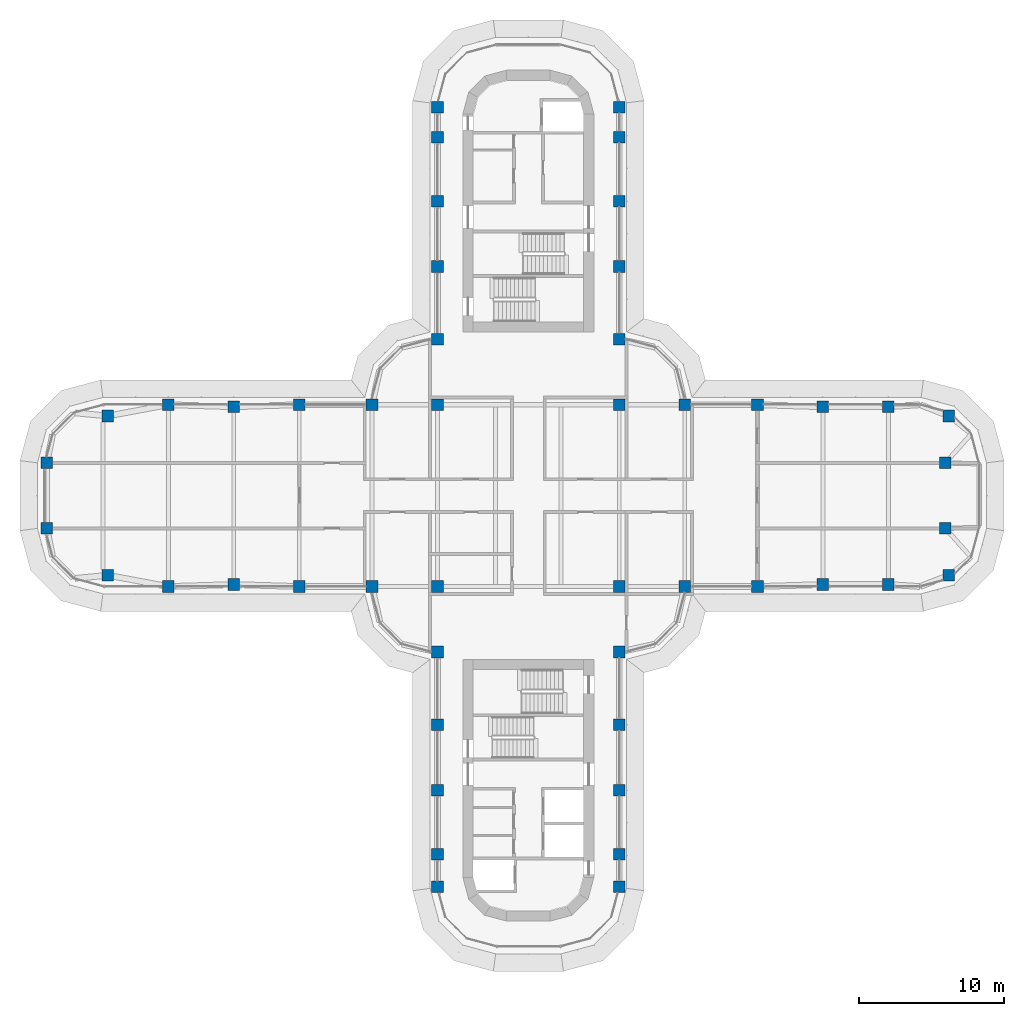
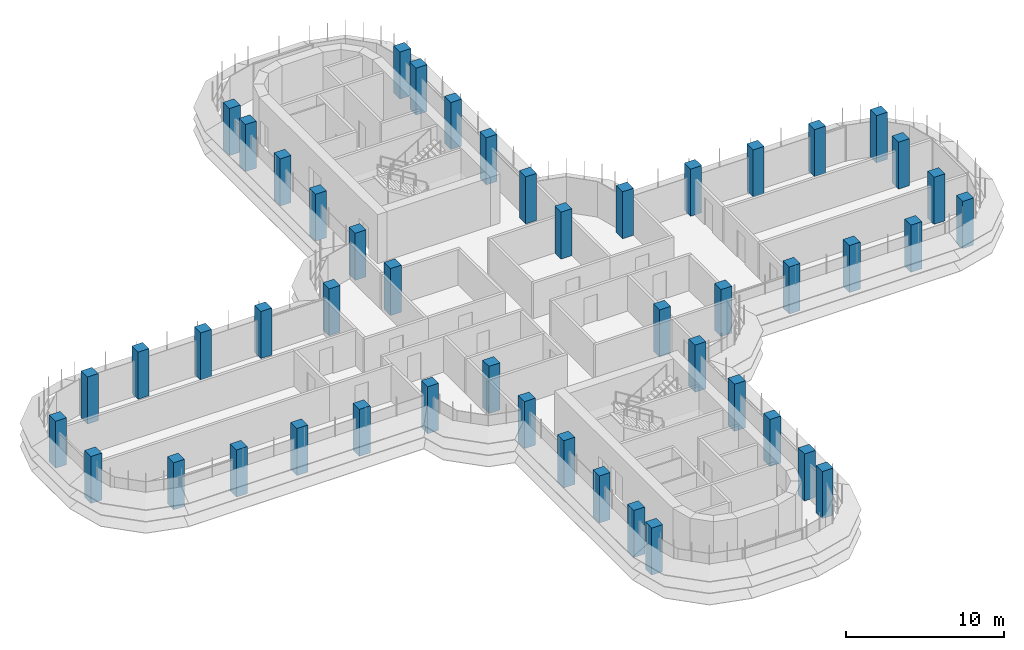
# One storey, part 1 of 19: 48 columns.
"""IFC4 building model written with IfcOpenShell, lengths in metres."""

import ifcopenshell
import ifcopenshell.guid

model = None  # the IFC model being written
_history = None  # IfcOwnerHistory: only IFC2X3 demands one
_inside = {}  # id of a spatial element -> (the spatial element, [elements in it])
_under = {}  # id of a project, library or spatial element -> (it, [spatial elements below it])
_declared = {}  # id of a project -> (the project, [libraries it declares])
_typed = {}  # id of a type object -> (the type object, [elements of that type])
_made_of = {}  # id of a material, layer set ... -> (it, [elements and type objects made of it])


def new_model(schema):
    """Start an empty IFC model of exactly this schema.

    Asked for "IFC4X3", IfcOpenShell would pick the latest addendum, in which some entities
    have other attributes; the version numbers below select the first issue.
    IFC2X3 requires an IfcOwnerHistory on every rooted entity: one is made here for all.
    """
    global model, _history
    if schema == "IFC4X3":
        model = ifcopenshell.file(schema_version=(4, 3, 0, 0))
    else:
        model = ifcopenshell.file(schema=schema)
    _inside.clear()
    _under.clear()
    _declared.clear()
    _typed.clear()
    _made_of.clear()
    _history = None
    if model.schema == "IFC2X3":
        org = make("IfcOrganization", Name="unknown")
        user = make(
            "IfcPersonAndOrganization",
            ThePerson=make("IfcPerson", FamilyName="unknown"),
            TheOrganization=org,
        )
        app = make(
            "IfcApplication",
            ApplicationDeveloper=org,
            Version="unknown",
            ApplicationFullName="unknown",
            ApplicationIdentifier="unknown",
        )
        _history = make(
            "IfcOwnerHistory",
            OwningUser=user,
            OwningApplication=app,
            ChangeAction="ADDED",
            CreationDate=0,
        )
    return model


def make(cls, **values):
    """One entity of the class cls with the attributes given. An attribute that is None is left unset."""
    return model.create_entity(
        cls, **{name: value for name, value in values.items() if value is not None}
    )


def rooted(cls, **values):
    """An entity with a GlobalId (a new one), such as an element, a storey or a relation."""
    return make(cls, GlobalId=ifcopenshell.guid.new(), OwnerHistory=_history, **values)


def si_unit(unit_type, name, prefix=None):
    """IfcSIUnit, for example si_unit("LENGTHUNIT", "METRE", prefix="MILLI")."""
    return make("IfcSIUnit", UnitType=unit_type, Prefix=prefix, Name=name)


def assignment(units):
    """IfcUnitAssignment: the units of a project."""
    return None if units is None else make("IfcUnitAssignment", Units=units)


def point(xyz):
    """IfcCartesianPoint."""
    return None if xyz is None else make("IfcCartesianPoint", Coordinates=xyz)


def direction(xyz):
    """IfcDirection."""
    return None if xyz is None else make("IfcDirection", DirectionRatios=xyz)


def frame(location, z_axis=None, x_axis=None):
    """IfcAxis2Placement3D, a coordinate frame: its origin and axes. An axis left out is left unset."""
    return make(
        "IfcAxis2Placement3D",
        Location=point(location),
        Axis=direction(z_axis),
        RefDirection=direction(x_axis),
    )


def frame_2d(location, x_axis=None):
    """IfcAxis2Placement2D, a coordinate frame in the plane: its origin and x axis."""
    return make(
        "IfcAxis2Placement2D", Location=point(location), RefDirection=direction(x_axis)
    )


def origin():
    """The frame at (0, 0, 0) with its axes left unset."""
    return frame((0.0, 0.0, 0.0))


def origin_2d():
    """The frame at (0, 0) in the plane with its x axis left unset."""
    return frame_2d((0.0, 0.0))


def place(relative_to, where):
    """IfcLocalPlacement: puts the frame where relative to a parent placement (None: the world)."""
    return make(
        "IfcLocalPlacement", PlacementRelTo=relative_to, RelativePlacement=where
    )


def context(
    kind, dimensions, precision=None, world=None, true_north=None, identifier=None
):
    """IfcGeometricRepresentationContext, for example the 3D "Model" context."""
    return make(
        "IfcGeometricRepresentationContext",
        ContextIdentifier=identifier,
        ContextType=kind,
        CoordinateSpaceDimension=dimensions,
        Precision=precision,
        WorldCoordinateSystem=world,
        TrueNorth=true_north,
    )


def subcontext(parent, identifier, kind, view, scale=None):
    """IfcGeometricRepresentationSubContext, for example "Body" below "Model"."""
    return make(
        "IfcGeometricRepresentationSubContext",
        ContextIdentifier=identifier,
        ContextType=kind,
        ParentContext=parent,
        TargetScale=scale,
        TargetView=view,
    )


def project(units=None, contexts=None):
    """IfcProject with its units and contexts."""
    return rooted(
        "IfcProject",
        Name="project",
        RepresentationContexts=contexts,
        UnitsInContext=assignment(units),
    )


def spatial(cls, under=None, at=None, **own):
    """A site, building, storey or space (cls), placed at a placement, below another one or the project."""
    s = rooted(cls, ObjectPlacement=at, **own)
    if under is not None:
        _under.setdefault(under.id(), (under, []))[1].append(s)
    return s


def profile(cls, at=None, kind="AREA", **sizes):
    """A parametric profile (cls). Its sizes go by their IFC names, for example OverallWidth=200.0."""
    return make(cls, ProfileType=kind, Position=at, **sizes)


def rectangle(**sizes):
    """IfcRectangleProfileDef."""
    return profile("IfcRectangleProfileDef", **sizes)


def extrude(swept, where, along, depth):
    """IfcExtrudedAreaSolid: the profile swept, set in the frame where, extruded along a direction by depth."""
    return make(
        "IfcExtrudedAreaSolid",
        SweptArea=swept,
        Position=where,
        ExtrudedDirection=direction(along),
        Depth=depth,
    )


def shape(context_of_items, identifier, shape_type, items):
    """IfcShapeRepresentation: the items that make up one representation, for example the "Body"."""
    return make(
        "IfcShapeRepresentation",
        ContextOfItems=context_of_items,
        RepresentationIdentifier=identifier,
        RepresentationType=shape_type,
        Items=items,
    )


def material(Name=None, Category=None):
    """IfcMaterial."""
    return make("IfcMaterial", Name=Name, Category=Category)


def material_profile(
    of_material, cross_section, Name=None, Category=None, Priority=None
):
    """IfcMaterialProfile: a cross section and its material."""
    return make(
        "IfcMaterialProfile",
        Name=Name,
        Material=of_material,
        Profile=cross_section,
        Priority=Priority,
        Category=Category,
    )


def profile_set(profiles, Name=None, composite=None):
    """IfcMaterialProfileSet."""
    return make(
        "IfcMaterialProfileSet",
        Name=Name,
        MaterialProfiles=profiles,
        CompositeProfile=composite,
    )


def made_of(thing, what):
    """Note that an element or type object is made of a material, layer set ...; save() writes the relation."""
    if what is not None:
        _made_of.setdefault(what.id(), (what, []))[1].append(thing)
    return thing


def type_object(cls, material=None, **own):
    """A type object (cls), such as IfcWallType, which elements share."""
    return made_of(rooted(cls, **own), material)


def element(
    cls,
    number,
    at=None,
    inside=None,
    cuts=None,
    type_object=None,
    material=None,
    context=None,
    identifier="Body",
    shape_type=None,
    held_by="IfcProductDefinitionShape",
    body=None,
    shapes=None,
    **own,
):
    """One element of the class cls, such as IfcWall. Its Tag is "e" and its number.

    at: its placement. inside: the storey or other place that contains it. cuts: it is an
    opening in that element (IfcRelVoidsElement). A single representation is given by context,
    identifier, shape_type and body (its items); several are given by shapes. held_by: the class
    of the entity that holds the representations. save() writes the other relations.
    """
    e = rooted(cls, Tag="e%d" % number, ObjectPlacement=at, **own)
    if body is not None:
        shapes = [shape(context, identifier, shape_type, body)]
    if shapes is not None:
        e.Representation = make(held_by, Representations=shapes)
    if inside is not None:
        _inside.setdefault(inside.id(), (inside, []))[1].append(e)
    if cuts is not None:
        rooted(
            "IfcRelVoidsElement", RelatingBuildingElement=cuts, RelatedOpeningElement=e
        )
    if type_object is not None:
        _typed.setdefault(type_object.id(), (type_object, []))[1].append(e)
    return made_of(e, material)


def aggregate(whole, parts):
    """IfcRelAggregates: a whole, such as a stair, and the parts it consists of."""
    return rooted("IfcRelAggregates", RelatingObject=whole, RelatedObjects=parts)


def save(model, path):
    """Write the relations noted so far, then the file.

    IfcRelAggregates (storeys below a building ...), IfcRelContainedInSpatialStructure (elements
    in a storey), IfcRelDefinesByType, IfcRelAssociatesMaterial and IfcRelDeclares: one each for
    every whole, place, type object, material and project.
    """
    for whole, parts in _under.values():
        aggregate(whole, parts)
    for where, things in _inside.values():
        rooted(
            "IfcRelContainedInSpatialStructure",
            RelatedElements=things,
            RelatingStructure=where,
        )
    for kind, things in _typed.values():
        rooted("IfcRelDefinesByType", RelatedObjects=things, RelatingType=kind)
    for what, things in _made_of.values():
        rooted("IfcRelAssociatesMaterial", RelatedObjects=things, RelatingMaterial=what)
    for by, libraries in _declared.values():
        rooted("IfcRelDeclares", RelatingContext=by, RelatedDefinitions=libraries)
    model.write(path)


model = new_model("IFC4")

# Units and contexts
model_context = context("Model", 3, precision=1e-05, world=origin(), true_north=direction((0.0, 1.0)))
body_context = subcontext(model_context, "Body", "Model", "MODEL_VIEW")
ifc_project = project(units=[si_unit("LENGTHUNIT", "METRE"), si_unit("AREAUNIT", "SQUARE_METRE"), si_unit("VOLUMEUNIT", "CUBIC_METRE"), si_unit("PLANEANGLEUNIT", "RADIAN"), si_unit("MASSUNIT", "GRAM", prefix="KILO")], contexts=[model_context])

# Site, building, storey
site_placement = place(None, origin())
site = spatial("IfcSite", under=ifc_project, at=site_placement, CompositionType="ELEMENT")
building_placement = place(site_placement, origin())
building = spatial("IfcBuilding", under=site, at=building_placement, Name="Zarbagh Exchange Tower", CompositionType="ELEMENT")
storey_placement = place(building_placement, frame((0.0, 0.0, 171.39990234375)))
storey = spatial("IfcBuildingStorey", under=building, at=storey_placement, Name="L41", CompositionType="ELEMENT", Elevation=171.39990234375)

# Columns
ifc_material = material(Name="Concrete C50/60", Category="concrete")
ifc_material_profile = material_profile(ifc_material, rectangle(XDim=0.800048828125, YDim=0.800048828125, at=origin_2d()), Name="RC column 800 x 800 C50/60")
ifc_profile_set = profile_set([ifc_material_profile], Name="Concrete C50/60")
column_type = type_object("IfcColumnType", Name="RC column 800 x 800 C50/60", PredefinedType="COLUMN", material=ifc_profile_set)
for number, where, z_axis, x_axis, name in (
    (1, (-33.110107421875, -2.25, 0.0), (0.0, 0.0, 1.0), (1.0, 0.0, 0.0), "C4 10/S"),
    (2, (-33.110107421875, 2.25, 0.0), (0.0, 0.0, 1.0), (1.0, 0.0, 0.0), "C4 10/T"),
    (3, (-28.907958984375, -5.47509765625, 0.0), (0.0, 0.0, 1.0), (1.0, 0.0, 0.0), "C4 11/R"),
    (4, (-28.907958984375, 5.47509765625, 0.0), (0.0, 0.0, 1.0), (1.0, 0.0, 0.0), "C4 11/U"),
    (5, (-24.75, -6.25, 0.0), (0.0, 0.0, 1.0), (1.0, 0.0, 0.0), "C4 12/R"),
    (6, (-24.75, 6.25, 0.0), (0.0, 0.0, 1.0), (1.0, 0.0, 0.0), "C4 12/U"),
    (7, (-20.25, -6.110107421875, 0.0), (0.0, 0.0, 1.0), (1.0, 0.0, 0.0), "C4 13/R"),
    (8, (-20.25, 6.110107421875, 0.0), (0.0, 0.0, 1.0), (1.0, 0.0, 0.0), "C4 13/U"),
    (9, (-15.75, -6.25, 0.0), (0.0, 0.0, 1.0), (1.0, 0.0, 0.0), "C4 14/R"),
    (10, (-15.75, 6.25, 0.0), (0.0, 0.0, 1.0), (1.0, 0.0, 0.0), "C4 14/U"),
    (11, (-10.75, -6.25, 0.0), (0.0, 0.0, 1.0), (1.0, 0.0, 0.0), "C4 15/R"),
    (12, (-10.75, 6.25, 0.0), (0.0, 0.0, 1.0), (1.0, 0.0, 0.0), "C4 15/U"),
    (13, (-6.25, -26.89990234375, 0.0), (0.0, 0.0, 1.0), (1.0, 0.0, 0.0), "C4 16/L"),
    (14, (-6.25, -24.64990234375, 0.0), (0.0, 0.0, 1.0), (1.0, 0.0, 0.0), "C4 16/M"),
    (15, (-6.25, -20.25, 0.0), (0.0, 0.0, 1.0), (1.0, 0.0, 0.0), "C4 16/N"),
    (16, (-6.25, -15.75, 0.0), (0.0, 0.0, 1.0), (1.0, 0.0, 0.0), "C4 16/P"),
    (17, (-6.25, -10.75, 0.0), (0.0, 0.0, 1.0), (1.0, 0.0, 0.0), "C4 16/Q"),
    (18, (-6.25, -6.25, 0.0), (0.0, 0.0, 1.0), (1.0, 0.0, 0.0), "C4 16/R"),
    (19, (-6.25, 6.25, 0.0), (0.0, 0.0, 1.0), (1.0, 0.0, 0.0), "C4 16/U"),
    (20, (-6.25, 10.75, 0.0), (0.0, 0.0, 1.0), (1.0, 0.0, 0.0), "C4 16/V"),
    (21, (-6.25, 15.75, 0.0), (0.0, 0.0, 1.0), (1.0, 0.0, 0.0), "C4 16/W"),
    (22, (-6.25, 20.25, 0.0), (0.0, 0.0, 1.0), (1.0, 0.0, 0.0), "C4 16/X"),
    (23, (-6.25, 24.64990234375, 0.0), (0.0, 0.0, 1.0), (1.0, 0.0, 0.0), "C4 16/Y"),
    (24, (-6.25, 26.699951171875, 0.0), (0.0, 0.0, 1.0), (1.0, 0.0, 0.0), "C4 16/Z"),
    (25, (6.25, -26.89990234375, 0.0), (0.0, 0.0, 1.0), (1.0, 0.0, 0.0), "C4 19/L"),
    (26, (6.25, -24.64990234375, 0.0), (0.0, 0.0, 1.0), (1.0, 0.0, 0.0), "C4 19/M"),
    (27, (6.25, -20.25, 0.0), (0.0, 0.0, 1.0), (1.0, 0.0, 0.0), "C4 19/N"),
    (28, (6.25, -15.75, 0.0), (0.0, 0.0, 1.0), (1.0, 0.0, 0.0), "C4 19/P"),
    (29, (6.25, -10.75, 0.0), (0.0, 0.0, 1.0), (1.0, 0.0, 0.0), "C4 19/Q"),
    (30, (6.25, -6.25, 0.0), (0.0, 0.0, 1.0), (1.0, 0.0, 0.0), "C4 19/R"),
    (31, (6.25, 6.25, 0.0), (0.0, 0.0, 1.0), (1.0, 0.0, 0.0), "C4 19/U"),
    (32, (6.25, 10.75, 0.0), (0.0, 0.0, 1.0), (1.0, 0.0, 0.0), "C4 19/V"),
    (33, (6.25, 15.75, 0.0), (0.0, 0.0, 1.0), (1.0, 0.0, 0.0), "C4 19/W"),
    (34, (6.25, 20.25, 0.0), (0.0, 0.0, 1.0), (1.0, 0.0, 0.0), "C4 19/X"),
    (35, (6.25, 24.64990234375, 0.0), (0.0, 0.0, 1.0), (1.0, 0.0, 0.0), "C4 19/Y"),
    (36, (6.25, 26.699951171875, 0.0), (0.0, 0.0, 1.0), (1.0, 0.0, 0.0), "C4 19/Z"),
    (37, (10.75, -6.25, 0.0), (0.0, 0.0, 1.0), (1.0, 0.0, 0.0), "C4 20/R"),
    (38, (10.75, 6.25, 0.0), (0.0, 0.0, 1.0), (1.0, 0.0, 0.0), "C4 20/U"),
    (39, (15.75, -6.25, 0.0), (0.0, 0.0, 1.0), (1.0, 0.0, 0.0), "C4 21/R"),
    (40, (15.75, 6.25, 0.0), (0.0, 0.0, 1.0), (1.0, 0.0, 0.0), "C4 21/U"),
    (41, (20.25, -6.110107421875, 0.0), (0.0, 0.0, 1.0), (1.0, 0.0, 0.0), "C4 22/R"),
    (42, (20.25, 6.110107421875, 0.0), (0.0, 0.0, 1.0), (1.0, 0.0, 0.0), "C4 22/U"),
    (43, (24.75, -6.110107421875, 0.0), (0.0, 0.0, 1.0), (1.0, 0.0, 0.0), "C4 23/R"),
    (44, (24.75, 6.110107421875, 0.0), (0.0, 0.0, 1.0), (1.0, 0.0, 0.0), "C4 23/U"),
    (45, (28.907958984375, -5.47509765625, 0.0), (0.0, 0.0, 1.0), (1.0, 0.0, 0.0), "C4 24/R"),
    (46, (28.669921875, -2.25, 0.0), (0.0, 0.0, 1.0), (1.0, 0.0, 0.0), "C4 24/S"),
    (47, (28.669921875, 2.25, 0.0), (0.0, 0.0, 1.0), (1.0, 0.0, 0.0), "C4 24/T"),
    (48, (28.907958984375, 5.47509765625, 0.0), (0.0, 0.0, 1.0), (1.0, 0.0, 0.0), "C4 24/U"),
):
    element("IfcColumn", number, at=place(storey_placement, frame(where, z_axis=z_axis, x_axis=x_axis)), inside=storey, type_object=column_type, Name=name, PredefinedType="COLUMN", context=body_context, shape_type="SweptSolid", body=[
        extrude(rectangle(XDim=0.800048828125, YDim=0.800048828125, at=origin_2d()), origin(), (0.0, 0.0, 1.0), 3.650146484375),
    ])

save(model, "model.ifc")
